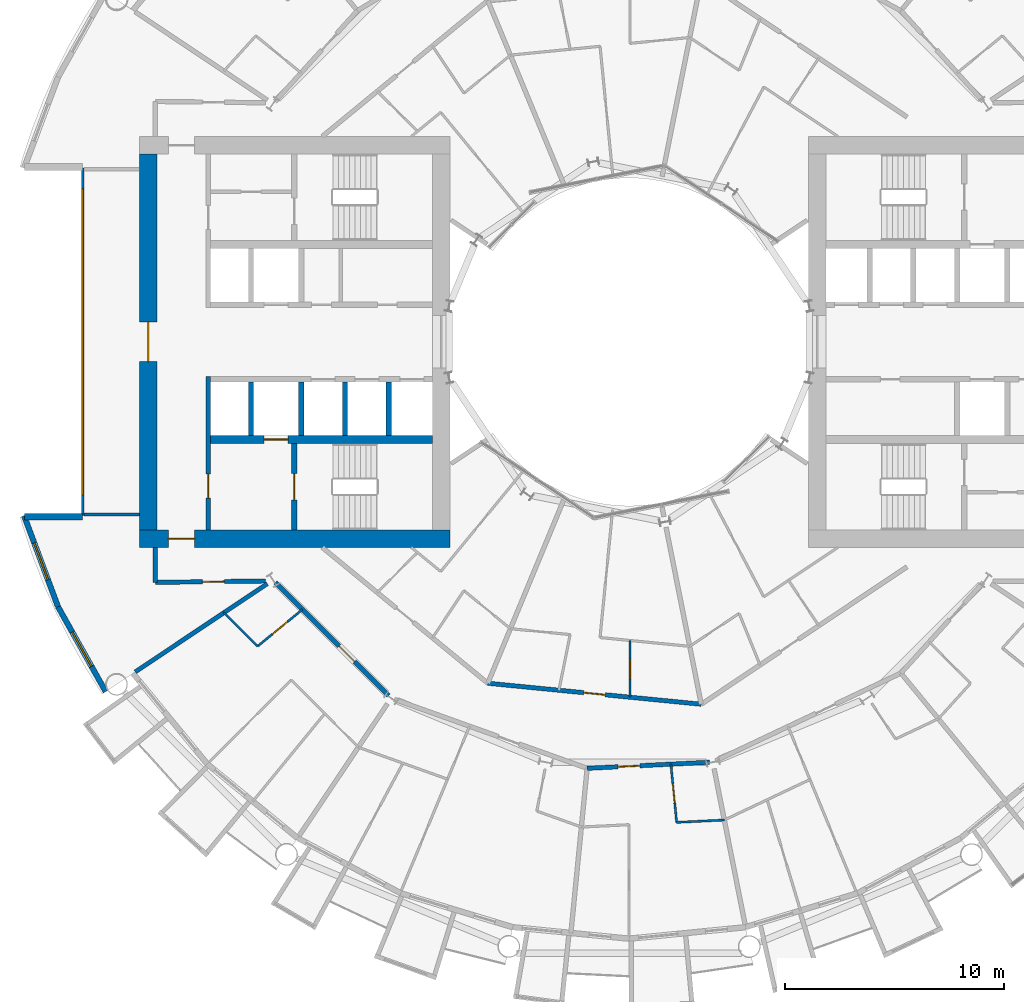
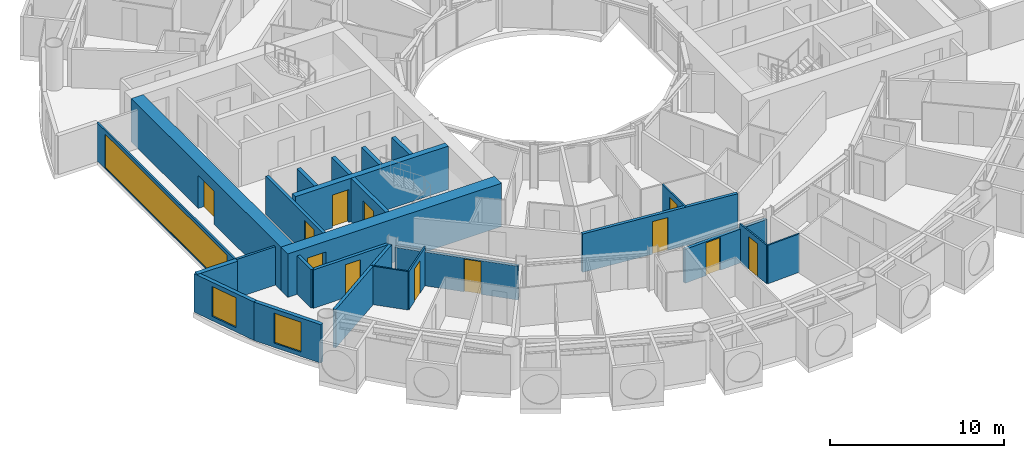
# One storey, part 14 of 26: 26 walls, 12 doors, 3 windows, 15 openings.
"""IFC4 building model written with IfcOpenShell, lengths in metres."""

from ifc_helpers import new_model, si_unit, direction, frame, frame_2d, origin, place, context, subcontext, project, spatial, rectangle, extrude, material, layer, layer_set, type_object, element, fill, save


model = new_model("IFC4")

# Units and contexts
model_context = context("Model", 3, precision=1e-05, world=origin(), true_north=direction((0.0, 1.0)))
body_context = subcontext(model_context, "Body", "Model", "MODEL_VIEW")
ifc_project = project(units=[si_unit("LENGTHUNIT", "METRE"), si_unit("AREAUNIT", "SQUARE_METRE"), si_unit("VOLUMEUNIT", "CUBIC_METRE"), si_unit("PLANEANGLEUNIT", "RADIAN"), si_unit("MASSUNIT", "GRAM", prefix="KILO")], contexts=[model_context])

# Site, building, storey
site_placement = place(None, origin())
site = spatial("IfcSite", under=ifc_project, at=site_placement, CompositionType="ELEMENT")
building_placement = place(site_placement, origin())
building = spatial("IfcBuilding", under=site, at=building_placement, Name="Maasbend Ring Residences", CompositionType="ELEMENT")
storey_placement = place(building_placement, frame((0.0, 0.0, 22.800048828125)))
storey = spatial("IfcBuildingStorey", under=building, at=storey_placement, Name="L05", CompositionType="ELEMENT", Elevation=22.800048828125)

# Wall, opening, door
ifc_material_1 = material(Name="Concrete C70/85", Category="concrete")
ifc_layer_1 = layer(ifc_material_1, 0.25)
ifc_layer_set_1 = layer_set([ifc_layer_1], Name="Concrete C70/85")
wall_type_1 = type_object("IfcWallType", Name="CORE WALL 250 C70/85", PredefinedType="SHEAR", material=ifc_layer_set_1)
wall_1_placement = place(storey_placement, frame((-15.324951171875, -4.64990234375, 0.0), z_axis=(0.0, 0.0, 1.0), x_axis=(0.0, -1.0, 0.0)))
wall_1 = element("IfcWall", 1, at=wall_1_placement, inside=storey, type_object=wall_type_1, Name="L05 core W wall STEN", PredefinedType="SHEAR", context=body_context, shape_type="SweptSolid", body=[
    extrude(rectangle(XDim=3.9501953125, YDim=0.25, at=frame_2d((1.97509765625, 0.0))), origin(), (0.0, 0.0, 1.0), 3.050048828125),
])
opening_1_placement = place(wall_1_placement, frame((1.375, 0.0, 0.0)))
opening_1 = element("IfcOpeningElement", 2, at=opening_1_placement, cuts=wall_1, Name="Opening D-W0509", PredefinedType="OPENING", context=body_context, shape_type="SweptSolid", body=[
    extrude(rectangle(XDim=1.199951171875, YDim=2.300048828125, at=frame_2d((0.60009765625, 1.14990234375))), frame((0.0, 0.135009765625, 0.0), z_axis=(0.0, -1.0, 0.0), x_axis=(1.0, 0.0, 0.0)), (0.0, 0.0, 1.0), 0.27001953125),
])
ifc_material_2 = material(Name="Steel, powder coated", Category="steel")
door_type_1 = type_object("IfcDoorType", Name="STAIR DOOR 1200 X 2300 FD60", OperationType="NOTDEFINED", PredefinedType="DOOR", material=ifc_material_2)
door_1_placement = place(opening_1_placement, origin())
door_1 = element("IfcDoor", 3, at=door_1_placement, inside=storey, type_object=door_type_1, Name="Stair door ST-W L05", OperationType="SINGLE_SWING_LEFT", OverallHeight=2.300048828125, OverallWidth=1.199951171875, PredefinedType="DOOR", context=body_context, shape_type="SweptSolid", body=[
    extrude(rectangle(XDim=1.199951171875, YDim=2.300048828125, at=frame_2d((0.60009765625, 1.14990234375))), frame((0.0, 0.02490234375, 0.0), z_axis=(0.0, -1.0, 0.0), x_axis=(1.0, 0.0, 0.0)), (0.0, 0.0, 1.0), 0.050048828125),
])
fill(opening_1, door_1)

ifc_material_3 = material(Name="Concrete C70/85", Category="concrete")
ifc_layer_2 = layer(ifc_material_3, 0.375)
ifc_layer_set_2 = layer_set([ifc_layer_2], Name="Concrete C70/85")
wall_type_2 = type_object("IfcWallType", Name="CORE WALL 375 C70/85", PredefinedType="SHEAR", material=ifc_layer_set_2)
wall_2_placement = place(storey_placement, frame((-9.0, -4.46240234375, 0.0), z_axis=(0.0, 0.0, 1.0), x_axis=(-1.0, 0.0, 0.0)))
wall_2 = element("IfcWall", 4, at=wall_2_placement, inside=storey, type_object=wall_type_2, Name="L05 core W wall BN", PredefinedType="SHEAR", context=body_context, shape_type="SweptSolid", body=[
    extrude(rectangle(XDim=10.14990234375, YDim=0.375, at=frame_2d((5.074951171875, 0.0))), origin(), (0.0, 0.0, 1.0), 3.050048828125),
])
opening_2_placement = place(wall_2_placement, frame((6.60009765625, 0.0, 0.0)))
opening_2 = element("IfcOpeningElement", 5, at=opening_2_placement, cuts=wall_2, Name="Opening LD-W0504", PredefinedType="OPENING", context=body_context, shape_type="SweptSolid", body=[
    extrude(rectangle(XDim=1.10009765625, YDim=2.300048828125, at=frame_2d((0.550048828125, 1.14990234375))), frame((0.0, 0.197509765625, 0.0), z_axis=(0.0, -1.0, 0.0), x_axis=(1.0, 0.0, 0.0)), (0.0, 0.0, 1.0), 0.39501953125),
])
ifc_material_4 = material(Name="Stainless steel 316", Category="steel")
door_type_2 = type_object("IfcDoorType", Name="LANDING DOOR 1100 X 2300 FD60", OperationType="DOUBLE_DOOR_SLIDING", PredefinedType="DOOR", material=ifc_material_4)
door_2_placement = place(opening_2_placement, origin())
door_2 = element("IfcDoor", 6, at=door_2_placement, inside=storey, type_object=door_type_2, Name="Landing door FF-W L05", OperationType="DOUBLE_DOOR_SLIDING", OverallHeight=2.300048828125, OverallWidth=1.10009765625, PredefinedType="DOOR", context=body_context, shape_type="SweptSolid", body=[
    extrude(rectangle(XDim=1.10009765625, YDim=2.300048828125, at=frame_2d((0.550048828125, 1.14990234375))), frame((0.0, 0.02490234375, 0.0), z_axis=(0.0, -1.0, 0.0), x_axis=(1.0, 0.0, 0.0)), (0.0, 0.0, 1.0), 0.050048828125),
])
fill(opening_2, door_2)

ifc_material_5 = material(Name="Concrete C70/85", Category="concrete")
ifc_layer_3 = layer(ifc_material_5, 0.800048828125)
ifc_layer_set_3 = layer_set([ifc_layer_3], Name="Concrete C70/85")
wall_type_3 = type_object("IfcWallType", Name="CORE WALL 800 C70/85", PredefinedType="SHEAR", material=ifc_layer_set_3)
wall_3_placement = place(storey_placement, frame((-22.39990234375, -9.0, 0.0), z_axis=(0.0, 0.0, 1.0), x_axis=(1.0, 0.0, 0.0)))
wall_3 = element("IfcWall", 7, at=wall_3_placement, inside=storey, type_object=wall_type_3, Name="L05 core W wall PN", PredefinedType="SHEAR", context=body_context, shape_type="SweptSolid", body=[
    extrude(rectangle(XDim=14.199951171875, YDim=0.800048828125, at=frame_2d((7.10009765625, 0.0))), origin(), (0.0, 0.0, 1.0), 3.050048828125),
])
opening_3_placement = place(wall_3_placement, frame((1.324951171875, 0.0, 0.0)))
opening_3 = element("IfcOpeningElement", 8, at=opening_3_placement, cuts=wall_3, Name="Opening D-W0513", PredefinedType="OPENING", context=body_context, shape_type="SweptSolid", body=[
    extrude(rectangle(XDim=1.199951171875, YDim=2.300048828125, at=frame_2d((0.60009765625, 1.14990234375))), frame((0.0, 0.41015625, 0.0), z_axis=(0.0, -1.0, 0.0), x_axis=(1.0, 0.0, 0.0)), (0.0, 0.0, 1.0), 0.820068359375),
])
ifc_material_6 = material(Name="Steel, powder coated", Category="steel")
door_type_3 = type_object("IfcDoorType", Name="CORRIDOR DOOR 1200 X 2300 FD30S", OperationType="NOTDEFINED", PredefinedType="DOOR", material=ifc_material_6)
door_3_placement = place(opening_3_placement, origin())
door_3 = element("IfcDoor", 9, at=door_3_placement, inside=storey, type_object=door_type_3, Name="Corridor door L05", OperationType="SINGLE_SWING_RIGHT", OverallHeight=2.300048828125, OverallWidth=1.199951171875, PredefinedType="DOOR", context=body_context, shape_type="SweptSolid", body=[
    extrude(rectangle(XDim=1.199951171875, YDim=2.300048828125, at=frame_2d((0.60009765625, 1.14990234375))), frame((0.0, 0.02490234375, 0.0), z_axis=(0.0, -1.0, 0.0), x_axis=(1.0, 0.0, 0.0)), (0.0, 0.0, 1.0), 0.050048828125),
])
fill(opening_3, door_3)

wall_4_placement = place(storey_placement, frame((-22.0, -8.60009765625, 0.0), z_axis=(0.0, 0.0, 1.0), x_axis=(0.0, 1.0, 0.0)))
wall_4 = element("IfcWall", 10, at=wall_4_placement, inside=storey, type_object=wall_type_3, Name="L05 core W wall POUT", PredefinedType="SHEAR", context=body_context, shape_type="SweptSolid", body=[
    extrude(rectangle(XDim=17.2001953125, YDim=0.800048828125, at=frame_2d((8.60009765625, 0.0))), origin(), (0.0, 0.0, 1.0), 3.050048828125),
])
opening_4_placement = place(wall_4_placement, frame((7.699951171875, 0.0, 0.0)))
opening_4 = element("IfcOpeningElement", 11, at=opening_4_placement, cuts=wall_4, Name="Opening D-W0515", PredefinedType="OPENING", context=body_context, shape_type="SweptSolid", body=[
    extrude(rectangle(XDim=1.800048828125, YDim=2.300048828125, at=frame_2d((0.89990234375, 1.14990234375))), frame((0.0, 0.41015625, 0.0), z_axis=(0.0, -1.0, 0.0), x_axis=(1.0, 0.0, 0.0)), (0.0, 0.0, 1.0), 0.820068359375),
])
ifc_material_7 = material(Name="Aluminium frame, clear glass", Category="aluminium")
door_type_4 = type_object("IfcDoorType", Name="ENTRANCE DOOR 1800 X 2300 FD60", OperationType="NOTDEFINED", PredefinedType="DOOR", material=ifc_material_7)
door_4_placement = place(opening_4_placement, origin())
door_4 = element("IfcDoor", 12, at=door_4_placement, inside=storey, type_object=door_type_4, Name="Lobby glazed door L05", OperationType="SINGLE_SWING_LEFT", OverallHeight=2.300048828125, OverallWidth=1.800048828125, PredefinedType="DOOR", context=body_context, shape_type="SweptSolid", body=[
    extrude(rectangle(XDim=1.800048828125, YDim=2.300048828125, at=frame_2d((0.89990234375, 1.14990234375))), frame((0.0, 0.02490234375, 0.0), z_axis=(0.0, -1.0, 0.0), x_axis=(1.0, 0.0, 0.0)), (0.0, 0.0, 1.0), 0.050048828125),
])
fill(opening_4, door_4)

ifc_material_8 = material(Name="Concrete C30/37", Category="concrete")
ifc_layer_4 = layer(ifc_material_8, 0.199951171875)
ifc_layer_set_4 = layer_set([ifc_layer_4], Name="Concrete C30/37")
wall_type_4 = type_object("IfcWallType", Name="CORRIDOR WALL 200 CONCRETE", PredefinedType="PARTITIONING", material=ifc_layer_set_4)
wall_5_placement = place(storey_placement, frame((-1.9208984375, -19.506103515625, 0.0), z_axis=(0.0, 0.0, 1.0), x_axis=(0.99878260749, 0.04932852092, 0.0)))
wall_5 = element("IfcWall", 13, at=wall_5_placement, inside=storey, type_object=wall_type_4, Name="U-L05-w013", PredefinedType="PARTITIONING", context=body_context, shape_type="SweptSolid", body=[
    extrude(rectangle(XDim=5.59765625, YDim=0.199951171875, at=frame_2d((2.798828125, 0.0))), origin(), (0.0, 0.0, 1.0), 2.3798828125),
])
opening_5_placement = place(wall_5_placement, frame((1.4169921875, 0.0, 0.0)))
opening_5 = element("IfcOpeningElement", 14, at=opening_5_placement, cuts=wall_5, Name="Opening D-0542", PredefinedType="OPENING", context=body_context, shape_type="SweptSolid", body=[
    extrude(rectangle(XDim=1.0, YDim=2.300048828125, at=frame_2d((0.5, 1.14990234375))), frame((0.0, 0.10986328125, 0.0), z_axis=(0.0, -1.0, 0.0), x_axis=(1.0, 0.0, 0.0)), (0.0, 0.0, 1.0), 0.219970703125),
])
ifc_material_9 = material(Name="Timber, fire-rated, painted", Category="wood")
door_type_5 = type_object("IfcDoorType", Name="FLAT ENTRANCE DOOR 1000 X 2300 FIRE-RATED", OperationType="NOTDEFINED", PredefinedType="DOOR", material=ifc_material_9)
door_5_placement = place(opening_5_placement, origin())
door_5 = element("IfcDoor", 15, at=door_5_placement, inside=storey, type_object=door_type_5, Name="D-0542", OperationType="SINGLE_SWING_LEFT", OverallHeight=2.300048828125, OverallWidth=1.0, PredefinedType="DOOR", context=body_context, shape_type="SweptSolid", body=[
    extrude(rectangle(XDim=1.0, YDim=2.300048828125, at=frame_2d((0.5, 1.14990234375))), frame((0.0, 0.02490234375, 0.0), z_axis=(0.0, -1.0, 0.0), x_axis=(1.0, 0.0, 0.0)), (0.0, 0.0, 1.0), 0.050048828125),
])
fill(opening_5, door_5)

wall_6_placement = place(storey_placement, frame((-16.18701171875, -10.9990234375, 0.0), z_axis=(0.0, 0.0, 1.0), x_axis=(0.707106781187, -0.707106781187, 0.0)))
wall_6 = element("IfcWall", 16, at=wall_6_placement, inside=storey, type_object=wall_type_4, Name="U-L05-w015", PredefinedType="PARTITIONING", context=body_context, shape_type="SweptSolid", body=[
    extrude(rectangle(XDim=7.3369140625, YDim=0.199951171875, at=frame_2d((3.66845703125, 0.0))), origin(), (0.0, 0.0, 1.0), 2.3798828125),
])
opening_6_placement = place(wall_6_placement, frame((4.1240234375, 0.0, 0.0)))
opening_6 = element("IfcOpeningElement", 17, at=opening_6_placement, cuts=wall_6, Name="Opening D-0533", PredefinedType="OPENING", context=body_context, shape_type="SweptSolid", body=[
    extrude(rectangle(XDim=1.0, YDim=2.300048828125, at=frame_2d((0.5, 1.14990234375))), frame((0.0, 0.10986328125, 0.0), z_axis=(0.0, -1.0, 0.0), x_axis=(1.0, 0.0, 0.0)), (0.0, 0.0, 1.0), 0.219970703125),
])
door_6_placement = place(opening_6_placement, origin())
door_6 = element("IfcDoor", 18, at=door_6_placement, inside=storey, type_object=door_type_5, Name="D-0533", OperationType="SINGLE_SWING_RIGHT", OverallHeight=2.300048828125, OverallWidth=1.0, PredefinedType="DOOR", context=body_context, shape_type="SweptSolid", body=[
    extrude(rectangle(XDim=1.0, YDim=2.300048828125, at=frame_2d((0.5, 1.14990234375))), frame((0.0, 0.02490234375, 0.0), z_axis=(0.0, -1.0, 0.0), x_axis=(1.0, 0.0, 0.0)), (0.0, 0.0, 1.0), 0.050048828125),
])
fill(opening_6, door_6)

wall_7_placement = place(storey_placement, frame((-6.467041015625, -15.614990234375, 0.0), z_axis=(0.0, 0.0, 1.0), x_axis=(0.995201860711, -0.097843019361, 0.0)))
wall_7 = element("IfcWall", 19, at=wall_7_placement, inside=storey, type_object=wall_type_4, Name="U-L05-w019", PredefinedType="PARTITIONING", context=body_context, shape_type="SweptSolid", body=[
    extrude(rectangle(XDim=9.811279296875, YDim=0.199951171875, at=frame_2d((4.90576171875, 0.0))), origin(), (0.0, 0.0, 1.0), 2.699951171875),
])
opening_7_placement = place(wall_7_placement, frame((4.405029296875, 0.0, 0.0)))
opening_7 = element("IfcOpeningElement", 20, at=opening_7_placement, cuts=wall_7, Name="Opening D-0557", PredefinedType="OPENING", context=body_context, shape_type="SweptSolid", body=[
    extrude(rectangle(XDim=1.0, YDim=2.300048828125, at=frame_2d((0.5, 1.14990234375))), frame((0.0, 0.10986328125, 0.0), z_axis=(0.0, -1.0, 0.0), x_axis=(1.0, 0.0, 0.0)), (0.0, 0.0, 1.0), 0.219970703125),
])
door_7_placement = place(opening_7_placement, origin())
door_7 = element("IfcDoor", 21, at=door_7_placement, inside=storey, type_object=door_type_5, Name="D-0557", OperationType="SINGLE_SWING_LEFT", OverallHeight=2.300048828125, OverallWidth=1.0, PredefinedType="DOOR", context=body_context, shape_type="SweptSolid", body=[
    extrude(rectangle(XDim=1.0, YDim=2.300048828125, at=frame_2d((0.5, 1.14990234375))), frame((0.0, 0.02490234375, 0.0), z_axis=(0.0, -1.0, 0.0), x_axis=(1.0, 0.0, 0.0)), (0.0, 0.0, 1.0), 0.050048828125),
])
fill(opening_7, door_7)

wall_8_placement = place(storey_placement, frame((-21.675048828125, -11.0, 0.0), z_axis=(0.0, 0.0, 1.0), x_axis=(0.99992425795, 0.012307654658, 0.0)))
wall_8 = element("IfcWall", 22, at=wall_8_placement, inside=storey, type_object=wall_type_4, Name="U-L05-w027", PredefinedType="PARTITIONING", context=body_context, shape_type="SweptSolid", body=[
    extrude(rectangle(XDim=5.03857421875, YDim=0.199951171875, at=frame_2d((2.519287109375, 0.0))), origin(), (0.0, 0.0, 1.0), 2.699951171875),
])
opening_8_placement = place(wall_8_placement, frame((2.155029296875, 0.0, 0.0)))
opening_8 = element("IfcOpeningElement", 23, at=opening_8_placement, cuts=wall_8, Name="Opening D-0565", PredefinedType="OPENING", context=body_context, shape_type="SweptSolid", body=[
    extrude(rectangle(XDim=1.0, YDim=2.300048828125, at=frame_2d((0.5, 1.14990234375))), frame((0.0, 0.10986328125, 0.0), z_axis=(0.0, -1.0, 0.0), x_axis=(1.0, 0.0, 0.0)), (0.0, 0.0, 1.0), 0.219970703125),
])
ifc_material_10 = material(Name="Timber, painted", Category="wood")
door_type_6 = type_object("IfcDoorType", Name="ROOM DOOR 1000 X 2300", OperationType="NOTDEFINED", PredefinedType="DOOR", material=ifc_material_10)
door_8_placement = place(opening_8_placement, origin())
door_8 = element("IfcDoor", 24, at=door_8_placement, inside=storey, type_object=door_type_6, Name="D-0565", OperationType="SINGLE_SWING_RIGHT", OverallHeight=2.300048828125, OverallWidth=1.0, PredefinedType="DOOR", context=body_context, shape_type="SweptSolid", body=[
    extrude(rectangle(XDim=1.0, YDim=2.300048828125, at=frame_2d((0.5, 1.14990234375))), frame((0.0, 0.02490234375, 0.0), z_axis=(0.0, -1.0, 0.0), x_axis=(1.0, 0.0, 0.0)), (0.0, 0.0, 1.0), 0.050048828125),
])
fill(opening_8, door_8)

# Wall
wall_9_placement = place(storey_placement, frame((-21.675048828125, -11.0, 0.0), z_axis=(0.0, 0.0, 1.0), x_axis=(0.0, 1.0, 0.0)))
element("IfcWall", 25, at=wall_9_placement, inside=storey, type_object=wall_type_4, Name="U-L05-w119", PredefinedType="PARTITIONING", context=body_context, shape_type="SweptSolid", body=[
    extrude(rectangle(XDim=1.60009765625, YDim=0.199951171875, at=frame_2d((0.800048828125, 0.0))), origin(), (0.0, 0.0, 1.0), 2.699951171875),
])

# Wall, opening, window
ifc_material_11 = material(Name="Aluminium clad insulated panel", Category="aluminium")
ifc_layer_5 = layer(ifc_material_11, 0.25)
ifc_layer_set_5 = layer_set([ifc_layer_5], Name="EW-HORN")
wall_type_5 = type_object("IfcWallType", Name="EW-HORN", PredefinedType="SOLIDWALL", material=ifc_layer_set_5)
wall_10_placement = place(storey_placement, frame((-27.681884765625, -7.945068359375, 0.0), z_axis=(0.0, 0.0, 1.0), x_axis=(0.349247811493, -0.937030397675, 0.0)))
wall_10 = element("IfcWall", 26, at=wall_10_placement, inside=storey, type_object=wall_type_5, Name="Horn wall 3.1", PredefinedType="SOLIDWALL", context=body_context, shape_type="SweptSolid", body=[
    extrude(rectangle(XDim=4.4521484375, YDim=0.25, at=frame_2d((2.22607421875, 0.0))), origin(), (0.0, 0.0, 1.0), 2.699951171875),
])
opening_9_placement = place(wall_10_placement, frame((1.32666015625, 0.0, 0.300048828125)))
opening_9 = element("IfcOpeningElement", 27, at=opening_9_placement, cuts=wall_10, Name="Opening W-BX", PredefinedType="OPENING", context=body_context, shape_type="SweptSolid", body=[
    extrude(rectangle(XDim=1.800048828125, YDim=2.10009765625, at=frame_2d((0.89990234375, 1.050048828125))), frame((0.0, 0.135009765625, 0.0), z_axis=(0.0, -1.0, 0.0), x_axis=(1.0, 0.0, 0.0)), (0.0, 0.0, 1.0), 0.27001953125),
])
ifc_material_12 = material(Name="Aluminium and clear glass", Category="aluminium")
window_type_1 = type_object("IfcWindowType", Name="W-BX", PartitioningType="DOUBLE_PANEL_VERTICAL", PredefinedType="WINDOW", material=ifc_material_12)
window_1_placement = place(opening_9_placement, origin())
window_1 = element("IfcWindow", 28, at=window_1_placement, inside=storey, type_object=window_type_1, Name="Horn window 3.1", OverallHeight=2.10009765625, OverallWidth=1.800048828125, PartitioningType="SINGLE_PANEL", PredefinedType="WINDOW", context=body_context, shape_type="SweptSolid", body=[
    extrude(rectangle(XDim=1.800048828125, YDim=2.10009765625, at=frame_2d((0.89990234375, 1.050048828125))), frame((0.0, 0.030029296875, 0.0), z_axis=(0.0, -1.0, 0.0), x_axis=(1.0, 0.0, 0.0)), (0.0, 0.0, 1.0), 0.06005859375),
])
fill(opening_9, window_1)

wall_11_placement = place(storey_placement, frame((-26.126953125, -12.116943359375, 0.0), z_axis=(0.0, 0.0, 1.0), x_axis=(0.489696356642, -0.871893042919, 0.0)))
wall_11 = element("IfcWall", 29, at=wall_11_placement, inside=storey, type_object=wall_type_5, Name="Horn wall 3.2", PredefinedType="SOLIDWALL", context=body_context, shape_type="SweptSolid", body=[
    extrude(rectangle(XDim=4.45361328125, YDim=0.25, at=frame_2d((2.226806640625, 0.0))), origin(), (0.0, 0.0, 1.0), 2.699951171875),
])
opening_10_placement = place(wall_11_placement, frame((1.32666015625, 0.0, 0.300048828125)))
opening_10 = element("IfcOpeningElement", 30, at=opening_10_placement, cuts=wall_11, Name="Opening W-BX", PredefinedType="OPENING", context=body_context, shape_type="SweptSolid", body=[
    extrude(rectangle(XDim=1.800048828125, YDim=2.10009765625, at=frame_2d((0.89990234375, 1.050048828125))), frame((0.0, 0.135009765625, 0.0), z_axis=(0.0, -1.0, 0.0), x_axis=(1.0, 0.0, 0.0)), (0.0, 0.0, 1.0), 0.27001953125),
])
window_2_placement = place(opening_10_placement, origin())
window_2 = element("IfcWindow", 31, at=window_2_placement, inside=storey, type_object=window_type_1, Name="Horn window 3.2", OverallHeight=2.10009765625, OverallWidth=1.800048828125, PartitioningType="SINGLE_PANEL", PredefinedType="WINDOW", context=body_context, shape_type="SweptSolid", body=[
    extrude(rectangle(XDim=1.800048828125, YDim=2.10009765625, at=frame_2d((0.89990234375, 1.050048828125))), frame((0.0, 0.030029296875, 0.0), z_axis=(0.0, -1.0, 0.0), x_axis=(1.0, 0.0, 0.0)), (0.0, 0.0, 1.0), 0.06005859375),
])
fill(opening_10, window_2)

# Wall
ifc_material_13 = material(Name="Aluminium clad insulated panel", Category="aluminium")
ifc_layer_6 = layer(ifc_material_13, 0.300048828125)
ifc_layer_set_6 = layer_set([ifc_layer_6], Name="EW-RET")
wall_type_6 = type_object("IfcWallType", Name="EW-RET", PredefinedType="SOLIDWALL", material=ifc_layer_set_6)
wall_12_placement = place(storey_placement, frame((-25.0, -8.0, 0.0), z_axis=(0.0, 0.0, 1.0), x_axis=(-1.0, 0.0, 0.0)))
element("IfcWall", 32, at=wall_12_placement, inside=storey, type_object=wall_type_6, Name="Notch return wall west south", PredefinedType="SOLIDWALL", context=body_context, shape_type="SweptSolid", body=[
    extrude(rectangle(XDim=2.6669921875, YDim=0.300048828125, at=frame_2d((1.33349609375, 0.0))), origin(), (0.0, 0.0, 1.0), 2.699951171875),
])

# Wall, opening, window
ifc_material_14 = material(Name="Aluminium frame and clear glass", Category="aluminium")
ifc_layer_7 = layer(ifc_material_14, 0.1201171875)
ifc_layer_set_7 = layer_set([ifc_layer_7], Name="GLAZED SCREEN WALL 120 EI 60")
wall_type_7 = type_object("IfcWallType", Name="GLAZED SCREEN WALL 120 EI 60", PredefinedType="PARTITIONING", material=ifc_layer_set_7)
wall_13_placement = place(storey_placement, frame((-25.0, 7.949951171875, 0.0), z_axis=(0.0, 0.0, 1.0), x_axis=(0.0, -1.0, 0.0)))
wall_13 = element("IfcWall", 33, at=wall_13_placement, inside=storey, type_object=wall_type_7, Name="L05 core W wall FACE", PredefinedType="PARTITIONING", context=body_context, shape_type="SweptSolid", body=[
    extrude(rectangle(XDim=15.89990234375, YDim=0.1201171875, at=frame_2d((7.949951171875, 0.0))), origin(), (0.0, 0.0, 1.0), 2.699951171875),
])
opening_11_placement = place(wall_13_placement, frame((0.949951171875, 0.0, 0.10009765625)))
opening_11 = element("IfcOpeningElement", 34, at=opening_11_placement, cuts=wall_13, Name="Opening W-W0502", PredefinedType="OPENING", context=body_context, shape_type="SweptSolid", body=[
    extrude(rectangle(XDim=14.0, YDim=2.35009765625, at=frame_2d((7.0, 1.175048828125))), frame((0.0, 0.070068359375, 0.0), z_axis=(0.0, -1.0, 0.0), x_axis=(1.0, 0.0, 0.0)), (0.0, 0.0, 1.0), 0.14013671875),
])
ifc_material_15 = material(Name="Aluminium frame and clear glass", Category="aluminium")
window_type_2 = type_object("IfcWindowType", Name="FIXED WINDOW 14000 X 2350", PartitioningType="SINGLE_PANEL", PredefinedType="WINDOW", material=ifc_material_15)
window_3_placement = place(opening_11_placement, origin())
window_3 = element("IfcWindow", 35, at=window_3_placement, inside=storey, type_object=window_type_2, Name="Lobby window L05", OverallHeight=2.35009765625, OverallWidth=14.0, PartitioningType="SINGLE_PANEL", PredefinedType="WINDOW", context=body_context, shape_type="SweptSolid", body=[
    extrude(rectangle(XDim=14.0, YDim=2.35009765625, at=frame_2d((7.0, 1.175048828125))), frame((0.0, 0.030029296875, 0.0), z_axis=(0.0, -1.0, 0.0), x_axis=(1.0, 0.0, 0.0)), (0.0, 0.0, 1.0), 0.06005859375),
])
fill(opening_11, window_3)

# Walls
ifc_material_16 = material(Name="Gypsum board on steel studs", Category="steel")
ifc_layer_8 = layer(ifc_material_16, 0.10009765625)
ifc_layer_set_8 = layer_set([ifc_layer_8], Name="PARTITION 100 GYPSUM")
wall_type_8 = type_object("IfcWallType", Name="PARTITION 100 GYPSUM", PredefinedType="PARTITIONING", material=ifc_layer_set_8)
wall_14_placement = place(storey_placement, frame((2.172119140625, -21.97900390625, 0.0), z_axis=(0.0, 0.0, 1.0), x_axis=(0.998797962079, 0.049016639484, 0.0)))
element("IfcWall", 36, at=wall_14_placement, inside=storey, type_object=wall_type_8, Name="U-L05-w002", PredefinedType="PARTITIONING", context=body_context, shape_type="SweptSolid", body=[
    extrude(rectangle(XDim=2.181640625, YDim=0.10009765625, at=frame_2d((1.0908203125, 0.0))), origin(), (0.0, 0.0, 1.0), 2.699951171875),
])
wall_15_placement = place(storey_placement, frame((-18.5419921875, -12.388916015625, 0.0), z_axis=(0.0, 0.0, 1.0), x_axis=(0.707106781187, -0.707106781187, 0.0)))
element("IfcWall", 37, at=wall_15_placement, inside=storey, type_object=wall_type_8, Name="U-L05-w005", PredefinedType="PARTITIONING", context=body_context, shape_type="SweptSolid", body=[
    extrude(rectangle(XDim=2.17529296875, YDim=0.10009765625, at=frame_2d((1.087646484375, 0.0))), origin(), (0.0, 0.0, 1.0), 2.699951171875),
])

# Wall, opening, door
wall_16_placement = place(storey_placement, frame((-17.00390625, -13.927001953125, 0.0), z_axis=(0.0, 0.0, 1.0), x_axis=(0.77367517848, 0.633582447834, 0.0)))
wall_16 = element("IfcWall", 38, at=wall_16_placement, inside=storey, type_object=wall_type_8, Name="U-L05-w040", PredefinedType="PARTITIONING", context=body_context, shape_type="SweptSolid", body=[
    extrude(rectangle(XDim=2.6611328125, YDim=0.10009765625, at=frame_2d((1.33056640625, 0.0))), origin(), (0.0, 0.0, 1.0), 2.699951171875),
])
opening_12_placement = place(wall_16_placement, frame((0.881103515625, 0.0, 0.0)))
opening_12 = element("IfcOpeningElement", 39, at=opening_12_placement, cuts=wall_16, Name="Opening D-0534", PredefinedType="OPENING", context=body_context, shape_type="SweptSolid", body=[
    extrude(rectangle(XDim=0.89990234375, YDim=2.300048828125, at=frame_2d((0.449951171875, 1.14990234375))), frame((0.0, 0.06005859375, 0.0), z_axis=(0.0, -1.0, 0.0), x_axis=(1.0, 0.0, 0.0)), (0.0, 0.0, 1.0), 0.1201171875),
])
ifc_material_17 = material(Name="Timber, painted", Category="wood")
door_type_7 = type_object("IfcDoorType", Name="INTERNAL DOOR 900 X 2300", OperationType="NOTDEFINED", PredefinedType="DOOR", material=ifc_material_17)
door_9_placement = place(opening_12_placement, origin())
door_9 = element("IfcDoor", 40, at=door_9_placement, inside=storey, type_object=door_type_7, Name="D-0534", OperationType="SINGLE_SWING_RIGHT", OverallHeight=2.300048828125, OverallWidth=0.89990234375, PredefinedType="DOOR", context=body_context, shape_type="SweptSolid", body=[
    extrude(rectangle(XDim=0.89990234375, YDim=2.300048828125, at=frame_2d((0.449951171875, 1.14990234375))), frame((0.0, 0.02490234375, 0.0), z_axis=(0.0, -1.0, 0.0), x_axis=(1.0, 0.0, 0.0)), (0.0, 0.0, 1.0), 0.050048828125),
])
fill(opening_12, door_9)

wall_17_placement = place(storey_placement, frame((0.0419921875, -16.2548828125, 0.0), z_axis=(0.0, 0.0, 1.0), x_axis=(-0.00272632248, 0.999996283576, 0.0)))
wall_17 = element("IfcWall", 41, at=wall_17_placement, inside=storey, type_object=wall_type_8, Name="U-L05-w067", PredefinedType="PARTITIONING", context=body_context, shape_type="SweptSolid", body=[
    extrude(rectangle(XDim=2.596923828125, YDim=0.10009765625, at=frame_2d((1.29833984375, 0.0))), origin(), (0.0, 0.0, 1.0), 2.699951171875),
])
opening_13_placement = place(wall_17_placement, frame((0.84912109375, 0.0, 0.0)))
opening_13 = element("IfcOpeningElement", 42, at=opening_13_placement, cuts=wall_17, Name="Opening D-0559", PredefinedType="OPENING", context=body_context, shape_type="SweptSolid", body=[
    extrude(rectangle(XDim=0.89990234375, YDim=2.300048828125, at=frame_2d((0.449951171875, 1.14990234375))), frame((0.0, 0.06005859375, 0.0), z_axis=(0.0, -1.0, 0.0), x_axis=(1.0, 0.0, 0.0)), (0.0, 0.0, 1.0), 0.1201171875),
])
door_10_placement = place(opening_13_placement, origin())
door_10 = element("IfcDoor", 43, at=door_10_placement, inside=storey, type_object=door_type_7, Name="D-0559", OperationType="SINGLE_SWING_RIGHT", OverallHeight=2.300048828125, OverallWidth=0.89990234375, PredefinedType="DOOR", context=body_context, shape_type="SweptSolid", body=[
    extrude(rectangle(XDim=0.89990234375, YDim=2.300048828125, at=frame_2d((0.449951171875, 1.14990234375))), frame((0.0, 0.02490234375, 0.0), z_axis=(0.0, -1.0, 0.0), x_axis=(1.0, 0.0, 0.0)), (0.0, 0.0, 1.0), 0.050048828125),
])
fill(opening_13, door_10)

wall_18_placement = place(storey_placement, frame((1.908935546875, -19.31689453125, 0.0), z_axis=(0.0, 0.0, 1.0), x_axis=(0.098383180323, -0.995148606907, 0.0)))
wall_18 = element("IfcWall", 44, at=wall_18_placement, inside=storey, type_object=wall_type_8, Name="U-L05-w071", PredefinedType="PARTITIONING", context=body_context, shape_type="SweptSolid", body=[
    extrude(rectangle(XDim=2.675048828125, YDim=0.10009765625, at=frame_2d((1.33740234375, 0.0))), origin(), (0.0, 0.0, 1.0), 2.699951171875),
])
opening_14_placement = place(wall_18_placement, frame((0.886962890625, 0.0, 0.0)))
opening_14 = element("IfcOpeningElement", 45, at=opening_14_placement, cuts=wall_18, Name="Opening D-0543", PredefinedType="OPENING", context=body_context, shape_type="SweptSolid", body=[
    extrude(rectangle(XDim=0.89990234375, YDim=2.300048828125, at=frame_2d((0.449951171875, 1.14990234375))), frame((0.0, 0.06005859375, 0.0), z_axis=(0.0, -1.0, 0.0), x_axis=(1.0, 0.0, 0.0)), (0.0, 0.0, 1.0), 0.1201171875),
])
door_11_placement = place(opening_14_placement, origin())
door_11 = element("IfcDoor", 46, at=door_11_placement, inside=storey, type_object=door_type_7, Name="D-0543", OperationType="SINGLE_SWING_RIGHT", OverallHeight=2.300048828125, OverallWidth=0.89990234375, PredefinedType="DOOR", context=body_context, shape_type="SweptSolid", body=[
    extrude(rectangle(XDim=0.89990234375, YDim=2.300048828125, at=frame_2d((0.449951171875, 1.14990234375))), frame((0.0, 0.02490234375, 0.0), z_axis=(0.0, -1.0, 0.0), x_axis=(1.0, 0.0, 0.0)), (0.0, 0.0, 1.0), 0.050048828125),
])
fill(opening_14, door_11)

# Walls
ifc_material_18 = material(Name="Gypsum board on steel studs", Category="steel")
ifc_layer_9 = layer(ifc_material_18, 0.14990234375)
ifc_layer_set_9 = layer_set([ifc_layer_9], Name="PARTITION 150 EI 60")
wall_type_9 = type_object("IfcWallType", Name="PARTITION 150 EI 60", PredefinedType="PARTITIONING", material=ifc_layer_set_9)
wall_19_placement = place(storey_placement, frame((-22.39990234375, -7.89990234375, 0.0), z_axis=(0.0, 0.0, 1.0), x_axis=(-1.0, 0.0, 0.0)))
element("IfcWall", 47, at=wall_19_placement, inside=storey, type_object=wall_type_9, Name="L05 core W wall CITN", PredefinedType="PARTITIONING", context=body_context, shape_type="SweptSolid", body=[
    extrude(rectangle(XDim=2.5400390625, YDim=0.14990234375, at=frame_2d((1.27001953125, 0.0))), origin(), (0.0, 0.0, 1.0), 2.699951171875),
])
ifc_material_19 = material(Name="Concrete C30/37", Category="concrete")
ifc_layer_10 = layer(ifc_material_19, 0.199951171875)
ifc_layer_set_10 = layer_set([ifc_layer_10], Name="Concrete C30/37")
wall_type_10 = type_object("IfcWallType", Name="PARTY WALL 200 CONCRETE", PredefinedType="PARTITIONING", material=ifc_layer_set_10)
wall_20_placement = place(storey_placement, frame((-18.5439453125, -12.386962890625, 0.0), z_axis=(0.0, 0.0, 1.0), x_axis=(0.832066006555, 0.554676627176, 0.0)))
element("IfcWall", 48, at=wall_20_placement, inside=storey, type_object=wall_type_10, Name="U-L05-w031", PredefinedType="PARTITIONING", context=body_context, shape_type="SweptSolid", body=[
    extrude(rectangle(XDim=2.390380859375, YDim=0.199951171875, at=frame_2d((1.1953125, 0.0))), origin(), (0.0, 0.0, 1.0), 2.699951171875),
])
wall_21_placement = place(storey_placement, frame((-22.594970703125, -15.097900390625, 0.0), z_axis=(0.0, 0.0, 1.0), x_axis=(0.831387096605, 0.55569370664, 0.0)))
element("IfcWall", 49, at=wall_21_placement, inside=storey, type_object=wall_type_10, Name="U-L05-w034", PredefinedType="PARTITIONING", context=body_context, shape_type="SweptSolid", body=[
    extrude(rectangle(XDim=4.875, YDim=0.199951171875, at=frame_2d((2.4375, 0.0))), origin(), (0.0, 0.0, 1.0), 2.699951171875),
])

# Wall, opening, door
ifc_material_20 = material(Name="Concrete C30/37", Category="concrete")
ifc_layer_11 = layer(ifc_material_20, 0.199951171875)
ifc_layer_set_11 = layer_set([ifc_layer_11], Name="Concrete C30/37")
wall_type_11 = type_object("IfcWallType", Name="SHAFT WALL 200 EI 120", PredefinedType="SOLIDWALL", material=ifc_layer_set_11)
wall_22_placement = place(storey_placement, frame((-19.25, -1.574951171875, 0.0), z_axis=(0.0, 0.0, 1.0), x_axis=(0.0, -1.0, 0.0)))
wall_22 = element("IfcWall", 50, at=wall_22_placement, inside=storey, type_object=wall_type_11, Name="L05 core W wall ENDN", PredefinedType="SOLIDWALL", context=body_context, shape_type="SweptSolid", body=[
    extrude(rectangle(XDim=7.025146484375, YDim=0.199951171875, at=frame_2d((3.5126953125, 0.0))), origin(), (0.0, 0.0, 1.0), 2.699951171875),
])
opening_15_placement = place(wall_22_placement, frame((4.47509765625, 0.0, 0.0)))
opening_15 = element("IfcOpeningElement", 51, at=opening_15_placement, cuts=wall_22, Name="Opening D-W0511", PredefinedType="OPENING", context=body_context, shape_type="SweptSolid", body=[
    extrude(rectangle(XDim=1.10009765625, YDim=2.300048828125, at=frame_2d((0.550048828125, 1.14990234375))), frame((0.0, 0.10986328125, 0.0), z_axis=(0.0, -1.0, 0.0), x_axis=(1.0, 0.0, 0.0)), (0.0, 0.0, 1.0), 0.219970703125),
])
ifc_material_21 = material(Name="Steel, powder coated", Category="steel")
door_type_8 = type_object("IfcDoorType", Name="LOBBY DOOR 1100 X 2300 FD60", OperationType="NOTDEFINED", PredefinedType="DOOR", material=ifc_material_21)
door_12_placement = place(opening_15_placement, origin())
door_12 = element("IfcDoor", 52, at=door_12_placement, inside=storey, type_object=door_type_8, Name="Lobby door L05", OperationType="SINGLE_SWING_LEFT", OverallHeight=2.300048828125, OverallWidth=1.10009765625, PredefinedType="DOOR", context=body_context, shape_type="SweptSolid", body=[
    extrude(rectangle(XDim=1.10009765625, YDim=2.300048828125, at=frame_2d((0.550048828125, 1.14990234375))), frame((0.0, 0.02490234375, 0.0), z_axis=(0.0, -1.0, 0.0), x_axis=(1.0, 0.0, 0.0)), (0.0, 0.0, 1.0), 0.050048828125),
])
fill(opening_15, door_12)

# Walls
ifc_material_22 = material(Name="Concrete C30/37", Category="concrete")
ifc_layer_12 = layer(ifc_material_22, 0.25)
ifc_layer_set_12 = layer_set([ifc_layer_12], Name="Concrete C30/37")
wall_type_12 = type_object("IfcWallType", Name="SHAFT WALL 250 EI 120", PredefinedType="SOLIDWALL", material=ifc_layer_set_12)
for number, where, z_axis, x_axis, name in (
    (53, (-15.0, -1.824951171875, 0.0), (0.0, 0.0, 1.0), (0.0, -1.0, 0.0), "L05 core W wall D150N"),
    (54, (-17.300048828125, -1.824951171875, 0.0), (0.0, 0.0, 1.0), (0.0, -1.0, 0.0), "L05 core W wall D173N"),
    (55, (-11.0, -1.824951171875, 0.0), (0.0, 0.0, 1.0), (0.0, -1.0, 0.0), "L05 core W wall D110N"),
    (56, (-13.0, -1.824951171875, 0.0), (0.0, 0.0, 1.0), (0.0, -1.0, 0.0), "L05 core W wall D130N"),
):
    element("IfcWall", number, at=place(storey_placement, frame(where, z_axis=z_axis, x_axis=x_axis)), inside=storey, type_object=wall_type_12, Name=name, PredefinedType="SOLIDWALL", context=body_context, shape_type="SweptSolid", body=[
        extrude(rectangle(XDim=2.449951171875, YDim=0.25, at=frame_2d((1.22509765625, 0.0))), origin(), (0.0, 0.0, 1.0), 2.699951171875),
    ])

save(model, "model.ifc")
